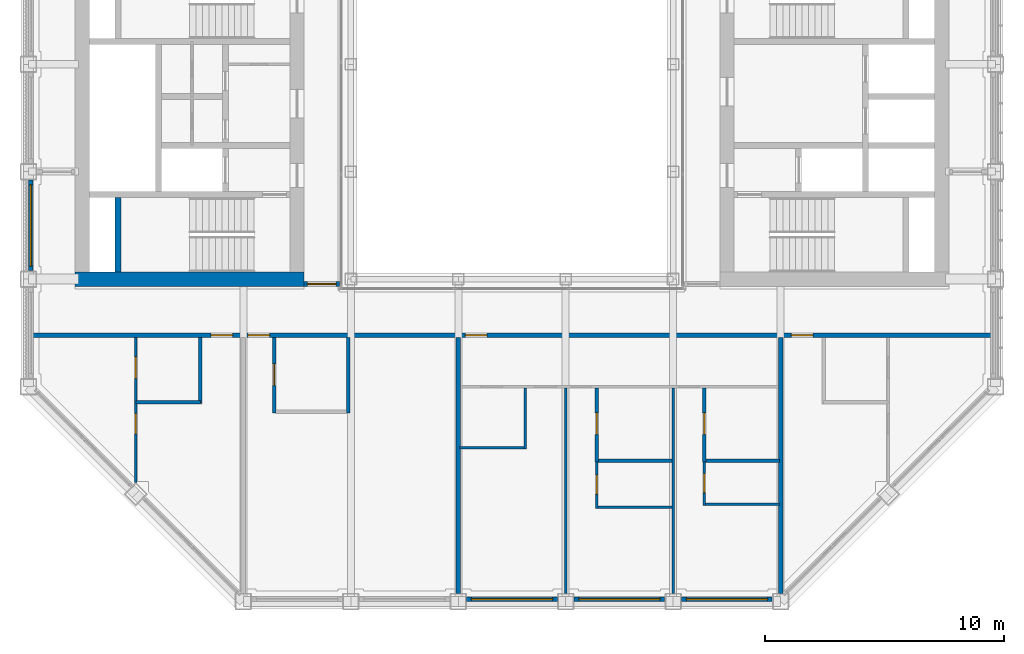
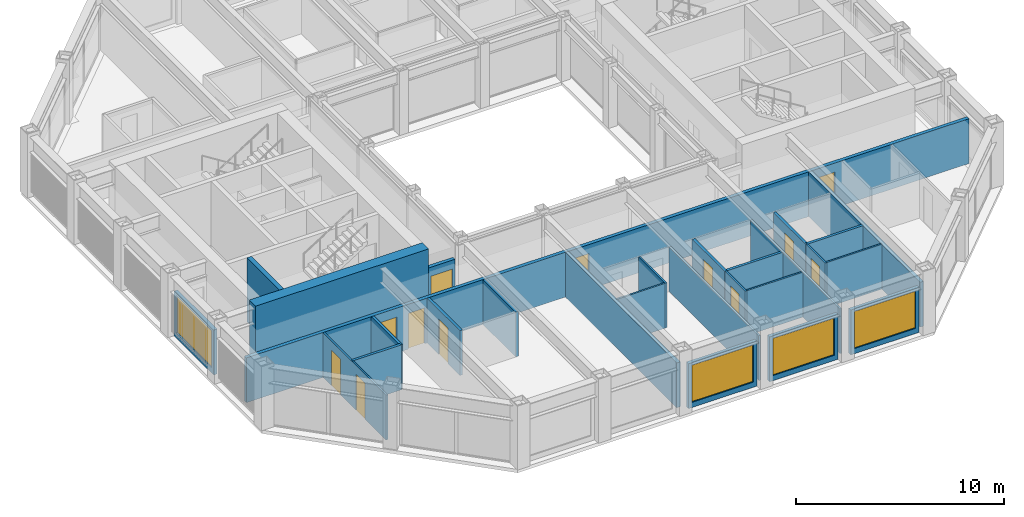
# One storey, part 9 of 17: 27 walls, 12 doors, 4 windows, 16 openings.
"""IFC4 building model written with IfcOpenShell, lengths in metres."""

from ifc_helpers import new_model, si_unit, direction, frame, frame_2d, origin, place, context, subcontext, project, spatial, rectangle, extrude, material, layer, layer_set, type_object, element, fill, save


model = new_model("IFC4")

# Units and contexts
model_context = context("Model", 3, precision=1e-05, world=origin(), true_north=direction((0.0, 1.0)))
body_context = subcontext(model_context, "Body", "Model", "MODEL_VIEW")
ifc_project = project(units=[si_unit("LENGTHUNIT", "METRE"), si_unit("AREAUNIT", "SQUARE_METRE"), si_unit("VOLUMEUNIT", "CUBIC_METRE"), si_unit("PLANEANGLEUNIT", "RADIAN"), si_unit("MASSUNIT", "GRAM", prefix="KILO")], contexts=[model_context])

# Site, building, storey
site_placement = place(None, origin())
site = spatial("IfcSite", under=ifc_project, at=site_placement, CompositionType="ELEMENT")
building_placement = place(site_placement, origin())
building = spatial("IfcBuilding", under=site, at=building_placement, Name="Msasa Ring Tower", CompositionType="ELEMENT")
storey_placement = place(building_placement, frame((0.0, 0.0, 234.550048828125)))
storey = spatial("IfcBuildingStorey", under=building, at=storey_placement, Name="L61", CompositionType="ELEMENT", Elevation=234.550048828125)

# Walls
ifc_material_1 = material(Name="Concrete C60/75", Category="concrete")
ifc_layer_1 = layer(ifc_material_1, 0.60009765625)
ifc_layer_set_1 = layer_set([ifc_layer_1], Name="CW3 CORE WALL 600")
wall_type_1 = type_object("IfcWallType", Name="CW3 CORE WALL 600", PredefinedType="SHEAR", material=ifc_layer_set_1)
wall_1_placement = place(storey_placement, frame((-8.699951171875, -6.75, 0.0), z_axis=(0.0, 0.0, 1.0), x_axis=(-1.0, 0.0, 0.0)))
element("IfcWall", 1, at=wall_1_placement, inside=storey, type_object=wall_type_1, Name="W core wall S L61", PredefinedType="SHEAR", context=body_context, shape_type="SweptSolid", body=[
    extrude(rectangle(XDim=9.60009765625, YDim=0.60009765625, at=frame_2d((4.800048828125, 0.0))), origin(), (0.0, 0.0, 1.0), 3.75),
])
ifc_material_2 = material(Name="Concrete C60/75", Category="concrete")
ifc_layer_2 = layer(ifc_material_2, 0.25)
ifc_layer_set_2 = layer_set([ifc_layer_2], Name="CW4 CORE INNER WALL 250")
wall_type_2 = type_object("IfcWallType", Name="CW4 CORE INNER WALL 250", PredefinedType="SHEAR", material=ifc_layer_set_2)
wall_2_placement = place(storey_placement, frame((-16.5, -6.449951171875, 0.0), z_axis=(0.0, 0.0, 1.0), x_axis=(0.0, 1.0, 0.0)))
element("IfcWall", 2, at=wall_2_placement, inside=storey, type_object=wall_type_2, Name="W core wall RISERA L61", PredefinedType="SHEAR", context=body_context, shape_type="SweptSolid", body=[
    extrude(rectangle(XDim=3.125, YDim=0.25, at=frame_2d((1.5625, 0.0))), origin(), (0.0, 0.0, 1.0), 3.75),
])

# Wall, opening, window
ifc_material_3 = material(Name="Terracotta rainscreen on blockwork", Category="masonry")
ifc_layer_3 = layer(ifc_material_3, 0.199951171875)
ifc_layer_set_3 = layer_set([ifc_layer_3], Name="FW1 TERRACOTTA-LINED INFILL BAY WALL 200")
wall_type_3 = type_object("IfcWallType", Name="FW1 TERRACOTTA-LINED INFILL BAY WALL 200", PredefinedType="SOLIDWALL", material=ifc_layer_set_3)
wall_3_placement = place(storey_placement, frame((-1.89501953125, -20.14990234375, 0.0), z_axis=(0.0, 0.0, 1.0), x_axis=(1.0, 0.0, 0.0)))
wall_3 = element("IfcWall", 3, at=wall_3_placement, inside=storey, type_object=wall_type_3, Name="Infill bay wall S L61 02", PredefinedType="SOLIDWALL", context=body_context, shape_type="SweptSolid", body=[
    extrude(rectangle(XDim=3.7900390625, YDim=0.199951171875, at=frame_2d((1.89501953125, 0.0))), origin(), (0.0, 0.0, 1.0), 2.62890625),
])
opening_1_placement = place(wall_3_placement, frame((0.195068359375, 0.0, 0.300048828125)))
opening_1 = element("IfcOpeningElement", 4, at=opening_1_placement, cuts=wall_3, Name="Opening WN3", PredefinedType="OPENING", context=body_context, shape_type="SweptSolid", body=[
    extrude(rectangle(XDim=3.39990234375, YDim=2.178955078125, at=frame_2d((1.699951171875, 1.08935546875))), frame((0.0, 0.10986328125, 0.0), z_axis=(0.0, -1.0, 0.0), x_axis=(1.0, 0.0, 0.0)), (0.0, 0.0, 1.0), 0.219970703125),
])
ifc_material_4 = material(Name="Aluminium frame with clear glass", Category="aluminium")
window_type = type_object("IfcWindowType", Name="WN3 SUITE WINDOW 3400x2179", PartitioningType="SINGLE_PANEL", PredefinedType="WINDOW", material=ifc_material_4)
window_1_placement = place(opening_1_placement, origin())
window_1 = element("IfcWindow", 5, at=window_1_placement, inside=storey, type_object=window_type, Name="Window S L61 02", OverallHeight=2.178955078125, OverallWidth=3.39990234375, PartitioningType="SINGLE_PANEL", PredefinedType="WINDOW", context=body_context, shape_type="SweptSolid", body=[
    extrude(rectangle(XDim=3.39990234375, YDim=2.178955078125, at=frame_2d((1.699951171875, 1.08935546875))), frame((0.0, 0.030029296875, 0.0), z_axis=(0.0, -1.0, 0.0), x_axis=(1.0, 0.0, 0.0)), (0.0, 0.0, 1.0), 0.06005859375),
])
fill(opening_1, window_1)

wall_4_placement = place(storey_placement, frame((2.60498046875, -20.14990234375, 0.0), z_axis=(0.0, 0.0, 1.0), x_axis=(1.0, 0.0, 0.0)))
wall_4 = element("IfcWall", 6, at=wall_4_placement, inside=storey, type_object=wall_type_3, Name="Infill bay wall S L61 03", PredefinedType="SOLIDWALL", context=body_context, shape_type="SweptSolid", body=[
    extrude(rectangle(XDim=3.7900390625, YDim=0.199951171875, at=frame_2d((1.89501953125, 0.0))), origin(), (0.0, 0.0, 1.0), 2.62890625),
])
opening_2_placement = place(wall_4_placement, frame((0.195068359375, 0.0, 0.300048828125)))
opening_2 = element("IfcOpeningElement", 7, at=opening_2_placement, cuts=wall_4, Name="Opening WN3", PredefinedType="OPENING", context=body_context, shape_type="SweptSolid", body=[
    extrude(rectangle(XDim=3.39990234375, YDim=2.178955078125, at=frame_2d((1.699951171875, 1.08935546875))), frame((0.0, 0.10986328125, 0.0), z_axis=(0.0, -1.0, 0.0), x_axis=(1.0, 0.0, 0.0)), (0.0, 0.0, 1.0), 0.219970703125),
])
window_2_placement = place(opening_2_placement, origin())
window_2 = element("IfcWindow", 8, at=window_2_placement, inside=storey, type_object=window_type, Name="Window S L61 03", OverallHeight=2.178955078125, OverallWidth=3.39990234375, PartitioningType="SINGLE_PANEL", PredefinedType="WINDOW", context=body_context, shape_type="SweptSolid", body=[
    extrude(rectangle(XDim=3.39990234375, YDim=2.178955078125, at=frame_2d((1.699951171875, 1.08935546875))), frame((0.0, 0.030029296875, 0.0), z_axis=(0.0, -1.0, 0.0), x_axis=(1.0, 0.0, 0.0)), (0.0, 0.0, 1.0), 0.06005859375),
])
fill(opening_2, window_2)

wall_5_placement = place(storey_placement, frame((7.10498046875, -20.14990234375, 0.0), z_axis=(0.0, 0.0, 1.0), x_axis=(1.0, 0.0, 0.0)))
wall_5 = element("IfcWall", 9, at=wall_5_placement, inside=storey, type_object=wall_type_3, Name="Infill bay wall S L61 04", PredefinedType="SOLIDWALL", context=body_context, shape_type="SweptSolid", body=[
    extrude(rectangle(XDim=3.7900390625, YDim=0.199951171875, at=frame_2d((1.89501953125, 0.0))), origin(), (0.0, 0.0, 1.0), 2.62890625),
])
opening_3_placement = place(wall_5_placement, frame((0.195068359375, 0.0, 0.300048828125)))
opening_3 = element("IfcOpeningElement", 10, at=opening_3_placement, cuts=wall_5, Name="Opening WN3", PredefinedType="OPENING", context=body_context, shape_type="SweptSolid", body=[
    extrude(rectangle(XDim=3.39990234375, YDim=2.178955078125, at=frame_2d((1.699951171875, 1.08935546875))), frame((0.0, 0.10986328125, 0.0), z_axis=(0.0, -1.0, 0.0), x_axis=(1.0, 0.0, 0.0)), (0.0, 0.0, 1.0), 0.219970703125),
])
window_3_placement = place(opening_3_placement, origin())
window_3 = element("IfcWindow", 11, at=window_3_placement, inside=storey, type_object=window_type, Name="Window S L61 04", OverallHeight=2.178955078125, OverallWidth=3.39990234375, PartitioningType="SINGLE_PANEL", PredefinedType="WINDOW", context=body_context, shape_type="SweptSolid", body=[
    extrude(rectangle(XDim=3.39990234375, YDim=2.178955078125, at=frame_2d((1.699951171875, 1.08935546875))), frame((0.0, 0.030029296875, 0.0), z_axis=(0.0, -1.0, 0.0), x_axis=(1.0, 0.0, 0.0)), (0.0, 0.0, 1.0), 0.06005859375),
])
fill(opening_3, window_3)

wall_6_placement = place(storey_placement, frame((-20.14990234375, -6.39501953125, 0.0), z_axis=(0.0, 0.0, 1.0), x_axis=(0.0, 1.0, 0.0)))
wall_6 = element("IfcWall", 12, at=wall_6_placement, inside=storey, type_object=wall_type_3, Name="Infill bay wall W L61 22", PredefinedType="SOLIDWALL", context=body_context, shape_type="SweptSolid", body=[
    extrude(rectangle(XDim=3.7900390625, YDim=0.199951171875, at=frame_2d((1.89501953125, 0.0))), origin(), (0.0, 0.0, 1.0), 2.62890625),
])
opening_4_placement = place(wall_6_placement, frame((0.195068359375, 0.0, 0.300048828125)))
opening_4 = element("IfcOpeningElement", 13, at=opening_4_placement, cuts=wall_6, Name="Opening WN3", PredefinedType="OPENING", context=body_context, shape_type="SweptSolid", body=[
    extrude(rectangle(XDim=3.39990234375, YDim=2.178955078125, at=frame_2d((1.699951171875, 1.08935546875))), frame((0.0, 0.10986328125, 0.0), z_axis=(0.0, -1.0, 0.0), x_axis=(1.0, 0.0, 0.0)), (0.0, 0.0, 1.0), 0.219970703125),
])
window_4_placement = place(opening_4_placement, origin())
window_4 = element("IfcWindow", 14, at=window_4_placement, inside=storey, type_object=window_type, Name="Window W L61 22", OverallHeight=2.178955078125, OverallWidth=3.39990234375, PartitioningType="SINGLE_PANEL", PredefinedType="WINDOW", context=body_context, shape_type="SweptSolid", body=[
    extrude(rectangle(XDim=3.39990234375, YDim=2.178955078125, at=frame_2d((1.699951171875, 1.08935546875))), frame((0.0, 0.030029296875, 0.0), z_axis=(0.0, -1.0, 0.0), x_axis=(1.0, 0.0, 0.0)), (0.0, 0.0, 1.0), 0.06005859375),
])
fill(opening_4, window_4)

# Wall, opening, door
ifc_material_5 = material(Name="Concrete blockwork", Category="masonry")
ifc_layer_4 = layer(ifc_material_5, 0.199951171875)
ifc_layer_set_4 = layer_set([ifc_layer_4], Name="PT1 CORRIDOR WALL 200")
wall_type_4 = type_object("IfcWallType", Name="PT1 CORRIDOR WALL 200", PredefinedType="PARTITIONING", material=ifc_layer_set_4)
wall_7_placement = place(storey_placement, frame((-8.699951171875, -6.949951171875, 0.0), z_axis=(0.0, 0.0, 1.0), x_axis=(1.0, 0.0, 0.0)))
wall_7 = element("IfcWall", 15, at=wall_7_placement, inside=storey, type_object=wall_type_4, Name="Corridor wall L61-SDWS", PredefinedType="PARTITIONING", context=body_context, shape_type="SweptSolid", body=[
    extrude(rectangle(XDim=1.469970703125, YDim=0.199951171875, at=frame_2d((0.73486328125, 0.0))), origin(), (0.0, 0.0, 1.0), 2.62890625),
])
opening_5_placement = place(wall_7_placement, frame((0.135009765625, 0.0, 0.0)))
opening_5 = element("IfcOpeningElement", 16, at=opening_5_placement, cuts=wall_7, Name="Opening SD-035", PredefinedType="OPENING", context=body_context, shape_type="SweptSolid", body=[
    extrude(rectangle(XDim=1.199951171875, YDim=2.10009765625, at=frame_2d((0.60009765625, 1.050048828125))), frame((0.0, 0.10986328125, 0.0), z_axis=(0.0, -1.0, 0.0), x_axis=(1.0, 0.0, 0.0)), (0.0, 0.0, 1.0), 0.219970703125),
])
ifc_material_6 = material(Name="Timber door leaf in a steel frame", Category="steel")
door_type_1 = type_object("IfcDoorType", Name="D25 CORRIDOR PAIR OF SMOKE DOORS 1200x2100", OperationType="DOUBLE_DOOR_DOUBLE_SWING", PredefinedType="DOOR", material=ifc_material_6)
door_1_placement = place(opening_5_placement, origin())
door_1 = element("IfcDoor", 17, at=door_1_placement, inside=storey, type_object=door_type_1, Name="Door L61-SDWS", OperationType="DOUBLE_DOOR_DOUBLE_SWING", OverallHeight=2.10009765625, OverallWidth=1.199951171875, PredefinedType="DOOR", context=body_context, shape_type="SweptSolid", body=[
    extrude(rectangle(XDim=1.199951171875, YDim=2.10009765625, at=frame_2d((0.60009765625, 1.050048828125))), frame((0.0, 0.02490234375, 0.0), z_axis=(0.0, -1.0, 0.0), x_axis=(1.0, 0.0, 0.0)), (0.0, 0.0, 1.0), 0.050048828125),
])
fill(opening_5, door_1)

# Wall, openings, doors
wall_8_placement = place(storey_placement, frame((-20.050048828125, -9.10009765625, 0.0), z_axis=(0.0, 0.0, 1.0), x_axis=(1.0, 0.0, 0.0)))
wall_8 = element("IfcWall", 18, at=wall_8_placement, inside=storey, type_object=wall_type_4, Name="Corridor wall L61-CORRS0", PredefinedType="PARTITIONING", context=body_context, shape_type="SweptSolid", body=[
    extrude(rectangle(XDim=40.10009765625, YDim=0.199951171875, at=frame_2d((20.050048828125, 0.0))), origin(), (0.0, 0.0, 1.0), 2.62890625),
])
opening_6_placement = place(wall_8_placement, frame((9.0, 0.0, 0.0)))
opening_6 = element("IfcOpeningElement", 19, at=opening_6_placement, cuts=wall_8, Name="Opening SD-038", PredefinedType="OPENING", context=body_context, shape_type="SweptSolid", body=[
    extrude(rectangle(XDim=0.89990234375, YDim=2.10009765625, at=frame_2d((0.449951171875, 1.050048828125))), frame((0.0, 0.10986328125, 0.0), z_axis=(0.0, -1.0, 0.0), x_axis=(1.0, 0.0, 0.0)), (0.0, 0.0, 1.0), 0.219970703125),
])
opening_7_placement = place(wall_8_placement, frame((18.10009765625, 0.0, 0.0)))
opening_7 = element("IfcOpeningElement", 20, at=opening_7_placement, cuts=wall_8, Name="Opening SD-039", PredefinedType="OPENING", context=body_context, shape_type="SweptSolid", body=[
    extrude(rectangle(XDim=0.89990234375, YDim=2.10009765625, at=frame_2d((0.449951171875, 1.050048828125))), frame((0.0, 0.10986328125, 0.0), z_axis=(0.0, -1.0, 0.0), x_axis=(1.0, 0.0, 0.0)), (0.0, 0.0, 1.0), 0.219970703125),
])
opening_8_placement = place(wall_8_placement, frame((31.75, 0.0, 0.0)))
opening_8 = element("IfcOpeningElement", 21, at=opening_8_placement, cuts=wall_8, Name="Opening SD-040", PredefinedType="OPENING", context=body_context, shape_type="SweptSolid", body=[
    extrude(rectangle(XDim=0.89990234375, YDim=2.10009765625, at=frame_2d((0.449951171875, 1.050048828125))), frame((0.0, 0.10986328125, 0.0), z_axis=(0.0, -1.0, 0.0), x_axis=(1.0, 0.0, 0.0)), (0.0, 0.0, 1.0), 0.219970703125),
])
opening_9_placement = place(wall_8_placement, frame((7.449951171875, 0.0, 0.0)))
opening_9 = element("IfcOpeningElement", 22, at=opening_9_placement, cuts=wall_8, Name="Opening SD-037", PredefinedType="OPENING", context=body_context, shape_type="SweptSolid", body=[
    extrude(rectangle(XDim=0.89990234375, YDim=2.10009765625, at=frame_2d((0.449951171875, 1.050048828125))), frame((0.0, 0.10986328125, 0.0), z_axis=(0.0, -1.0, 0.0), x_axis=(1.0, 0.0, 0.0)), (0.0, 0.0, 1.0), 0.219970703125),
])
ifc_material_7 = material(Name="Timber door leaf in a steel frame", Category="steel")
door_type_2 = type_object("IfcDoorType", Name="D1 SINGLE DOOR TO CORRIDOR 900x2100", OperationType="SINGLE_SWING_LEFT", PredefinedType="DOOR", material=ifc_material_7)
door_2_placement = place(opening_6_placement, origin())
door_2 = element("IfcDoor", 23, at=door_2_placement, inside=storey, type_object=door_type_2, Name="Door L61-JS00", OperationType="SINGLE_SWING_LEFT", OverallHeight=2.10009765625, OverallWidth=0.89990234375, PredefinedType="DOOR", context=body_context, shape_type="SweptSolid", body=[
    extrude(rectangle(XDim=0.89990234375, YDim=2.10009765625, at=frame_2d((0.449951171875, 1.050048828125))), frame((0.0, 0.02490234375, 0.0), z_axis=(0.0, -1.0, 0.0), x_axis=(1.0, 0.0, 0.0)), (0.0, 0.0, 1.0), 0.050048828125),
])
fill(opening_6, door_2)
ifc_material_8 = material(Name="Timber door leaf in a steel frame", Category="steel")
door_type_3 = type_object("IfcDoorType", Name="D2 ENTRANCE DOOR 900x2100", OperationType="SINGLE_SWING_LEFT", PredefinedType="DOOR", material=ifc_material_8)
door_3_placement = place(opening_7_placement, origin())
door_3 = element("IfcDoor", 24, at=door_3_placement, inside=storey, type_object=door_type_3, Name="Door L61-JS01", OperationType="SINGLE_SWING_LEFT", OverallHeight=2.10009765625, OverallWidth=0.89990234375, PredefinedType="DOOR", context=body_context, shape_type="SweptSolid", body=[
    extrude(rectangle(XDim=0.89990234375, YDim=2.10009765625, at=frame_2d((0.449951171875, 1.050048828125))), frame((0.0, 0.02490234375, 0.0), z_axis=(0.0, -1.0, 0.0), x_axis=(1.0, 0.0, 0.0)), (0.0, 0.0, 1.0), 0.050048828125),
])
fill(opening_7, door_3)
door_4_placement = place(opening_8_placement, origin())
door_4 = element("IfcDoor", 25, at=door_4_placement, inside=storey, type_object=door_type_3, Name="Door L61-CSSE", OperationType="SINGLE_SWING_RIGHT", OverallHeight=2.10009765625, OverallWidth=0.89990234375, PredefinedType="DOOR", context=body_context, shape_type="SweptSolid", body=[
    extrude(rectangle(XDim=0.89990234375, YDim=2.10009765625, at=frame_2d((0.449951171875, 1.050048828125))), frame((0.0, 0.02490234375, 0.0), z_axis=(0.0, -1.0, 0.0), x_axis=(1.0, 0.0, 0.0)), (0.0, 0.0, 1.0), 0.050048828125),
])
fill(opening_8, door_4)
door_5_placement = place(opening_9_placement, origin())
door_5 = element("IfcDoor", 26, at=door_5_placement, inside=storey, type_object=door_type_3, Name="Door L61-CSSW", OperationType="SINGLE_SWING_LEFT", OverallHeight=2.10009765625, OverallWidth=0.89990234375, PredefinedType="DOOR", context=body_context, shape_type="SweptSolid", body=[
    extrude(rectangle(XDim=0.89990234375, YDim=2.10009765625, at=frame_2d((0.449951171875, 1.050048828125))), frame((0.0, 0.02490234375, 0.0), z_axis=(0.0, -1.0, 0.0), x_axis=(1.0, 0.0, 0.0)), (0.0, 0.0, 1.0), 0.050048828125),
])
fill(opening_9, door_5)

# Walls
ifc_material_9 = material(Name="Gypsum board on steel studs", Category="steel")
ifc_layer_5 = layer(ifc_material_9, 0.10009765625)
ifc_layer_set_5 = layer_set([ifc_layer_5], Name="PT2 STUD PARTITION 100")
wall_type_5 = type_object("IfcWallType", Name="PT2 STUD PARTITION 100", PredefinedType="PARTITIONING", material=ifc_layer_set_5)
wall_9_placement = place(storey_placement, frame((0.550048828125, -13.85009765625, 0.0), z_axis=(0.0, 0.0, 1.0), x_axis=(0.0, 1.0, 0.0)))
element("IfcWall", 27, at=wall_9_placement, inside=storey, type_object=wall_type_5, Name="Partition L61-JS01KX", PredefinedType="PARTITIONING", context=body_context, shape_type="SweptSolid", body=[
    extrude(rectangle(XDim=2.550048828125, YDim=0.10009765625, at=frame_2d((1.27490234375, 0.0))), origin(), (0.0, 0.0, 1.0), 2.62890625),
])
wall_10_placement = place(storey_placement, frame((-2.18994140625, -13.800048828125, 0.0), z_axis=(0.0, 0.0, 1.0), x_axis=(1.0, 0.0, 0.0)))
element("IfcWall", 28, at=wall_10_placement, inside=storey, type_object=wall_type_5, Name="Partition L61-JS01KY", PredefinedType="PARTITIONING", context=body_context, shape_type="SweptSolid", body=[
    extrude(rectangle(XDim=2.739990234375, YDim=0.10009765625, at=frame_2d((1.3701171875, 0.0))), origin(), (0.0, 0.0, 1.0), 2.62890625),
])
wall_11_placement = place(storey_placement, frame((2.25, -19.89990234375, 0.0), z_axis=(0.0, 0.0, 1.0), x_axis=(0.0, 1.0, 0.0)))
element("IfcWall", 29, at=wall_11_placement, inside=storey, type_object=wall_type_5, Name="Partition L61-JS01P1", PredefinedType="PARTITIONING", context=body_context, shape_type="SweptSolid", body=[
    extrude(rectangle(XDim=8.599853515625, YDim=0.10009765625, at=frame_2d((4.2998046875, 0.0))), origin(), (0.0, 0.0, 1.0), 2.62890625),
])

# Wall, opening, door
wall_12_placement = place(storey_placement, frame((3.550048828125, -16.35009765625, 0.0), z_axis=(0.0, 0.0, 1.0), x_axis=(0.0, 1.0, 0.0)))
wall_12 = element("IfcWall", 30, at=wall_12_placement, inside=storey, type_object=wall_type_5, Name="Partition L61-JS01WX1", PredefinedType="PARTITIONING", context=body_context, shape_type="SweptSolid", body=[
    extrude(rectangle(XDim=1.9501953125, YDim=0.10009765625, at=frame_2d((0.97509765625, 0.0))), origin(), (0.0, 0.0, 1.0), 2.62890625),
])
opening_10_placement = place(wall_12_placement, frame((0.60009765625, 0.0, 0.0)))
opening_10 = element("IfcOpeningElement", 31, at=opening_10_placement, cuts=wall_12, Name="Opening SD-053", PredefinedType="OPENING", context=body_context, shape_type="SweptSolid", body=[
    extrude(rectangle(XDim=0.800048828125, YDim=2.10009765625, at=frame_2d((0.39990234375, 1.050048828125))), frame((0.0, 0.06005859375, 0.0), z_axis=(0.0, -1.0, 0.0), x_axis=(1.0, 0.0, 0.0)), (0.0, 0.0, 1.0), 0.1201171875),
])
ifc_material_10 = material(Name="Timber door leaf in a steel frame", Category="steel")
door_type_4 = type_object("IfcDoorType", Name="D60 DRESSING ROOM DOOR 800x2100", OperationType="SINGLE_SWING_LEFT", PredefinedType="DOOR", material=ifc_material_10)
door_6_placement = place(opening_10_placement, origin())
door_6 = element("IfcDoor", 32, at=door_6_placement, inside=storey, type_object=door_type_4, Name="Door L61-JS01W1", OperationType="SINGLE_SWING_LEFT", OverallHeight=2.10009765625, OverallWidth=0.800048828125, PredefinedType="DOOR", context=body_context, shape_type="SweptSolid", body=[
    extrude(rectangle(XDim=0.800048828125, YDim=2.10009765625, at=frame_2d((0.39990234375, 1.050048828125))), frame((0.0, 0.02490234375, 0.0), z_axis=(0.0, -1.0, 0.0), x_axis=(1.0, 0.0, 0.0)), (0.0, 0.0, 1.0), 0.050048828125),
])
fill(opening_10, door_6)

# Walls
wall_13_placement = place(storey_placement, frame((3.550048828125, -16.300048828125, 0.0), z_axis=(0.0, 0.0, 1.0), x_axis=(1.0, 0.0, 0.0)))
element("IfcWall", 33, at=wall_13_placement, inside=storey, type_object=wall_type_5, Name="Partition L61-JS01WY1", PredefinedType="PARTITIONING", context=body_context, shape_type="SweptSolid", body=[
    extrude(rectangle(XDim=3.14990234375, YDim=0.10009765625, at=frame_2d((1.574951171875, 0.0))), origin(), (0.0, 0.0, 1.0), 2.62890625),
])
wall_14_placement = place(storey_placement, frame((6.75, -19.89990234375, 0.0), z_axis=(0.0, 0.0, 1.0), x_axis=(0.0, 1.0, 0.0)))
element("IfcWall", 34, at=wall_14_placement, inside=storey, type_object=wall_type_5, Name="Partition L61-JS01P2", PredefinedType="PARTITIONING", context=body_context, shape_type="SweptSolid", body=[
    extrude(rectangle(XDim=8.599853515625, YDim=0.10009765625, at=frame_2d((4.2998046875, 0.0))), origin(), (0.0, 0.0, 1.0), 2.62890625),
])

# Wall, opening, door
wall_15_placement = place(storey_placement, frame((8.050048828125, -16.2236328125, 0.0), z_axis=(0.0, 0.0, 1.0), x_axis=(0.0, 1.0, 0.0)))
wall_15 = element("IfcWall", 35, at=wall_15_placement, inside=storey, type_object=wall_type_5, Name="Partition L61-JS01WX2", PredefinedType="PARTITIONING", context=body_context, shape_type="SweptSolid", body=[
    extrude(rectangle(XDim=1.82373046875, YDim=0.10009765625, at=frame_2d((0.911865234375, 0.0))), origin(), (0.0, 0.0, 1.0), 2.62890625),
])
opening_11_placement = place(wall_15_placement, frame((0.536865234375, 0.0, 0.0)))
opening_11 = element("IfcOpeningElement", 36, at=opening_11_placement, cuts=wall_15, Name="Opening SD-052", PredefinedType="OPENING", context=body_context, shape_type="SweptSolid", body=[
    extrude(rectangle(XDim=0.800048828125, YDim=2.10009765625, at=frame_2d((0.39990234375, 1.050048828125))), frame((0.0, 0.06005859375, 0.0), z_axis=(0.0, -1.0, 0.0), x_axis=(1.0, 0.0, 0.0)), (0.0, 0.0, 1.0), 0.1201171875),
])
door_7_placement = place(opening_11_placement, origin())
door_7 = element("IfcDoor", 37, at=door_7_placement, inside=storey, type_object=door_type_4, Name="Door L61-JS01W2", OperationType="SINGLE_SWING_LEFT", OverallHeight=2.10009765625, OverallWidth=0.800048828125, PredefinedType="DOOR", context=body_context, shape_type="SweptSolid", body=[
    extrude(rectangle(XDim=0.800048828125, YDim=2.10009765625, at=frame_2d((0.39990234375, 1.050048828125))), frame((0.0, 0.02490234375, 0.0), z_axis=(0.0, -1.0, 0.0), x_axis=(1.0, 0.0, 0.0)), (0.0, 0.0, 1.0), 0.050048828125),
])
fill(opening_11, door_7)

# Wall
wall_16_placement = place(storey_placement, frame((8.050048828125, -16.173583984375, 0.0), z_axis=(0.0, 0.0, 1.0), x_axis=(1.0, 0.0, 0.0)))
element("IfcWall", 38, at=wall_16_placement, inside=storey, type_object=wall_type_5, Name="Partition L61-JS01WY2", PredefinedType="PARTITIONING", context=body_context, shape_type="SweptSolid", body=[
    extrude(rectangle(XDim=3.139892578125, YDim=0.10009765625, at=frame_2d((1.56982421875, 0.0))), origin(), (0.0, 0.0, 1.0), 2.62890625),
])

# Wall, openings, doors
wall_17_placement = place(storey_placement, frame((-15.75, -15.2548828125, 0.0), z_axis=(0.0, 0.0, 1.0), x_axis=(0.0, 1.0, 0.0)))
wall_17 = element("IfcWall", 39, at=wall_17_placement, inside=storey, type_object=wall_type_5, Name="Partition L61-CSSWP1", PredefinedType="PARTITIONING", context=body_context, shape_type="SweptSolid", body=[
    extrude(rectangle(XDim=6.054931640625, YDim=0.10009765625, at=frame_2d((3.02734375, 0.0))), origin(), (0.0, 0.0, 1.0), 2.62890625),
])
opening_12_placement = place(wall_17_placement, frame((2.030029296875, 0.0, 0.0)))
opening_12 = element("IfcOpeningElement", 40, at=opening_12_placement, cuts=wall_17, Name="Opening SD-048", PredefinedType="OPENING", context=body_context, shape_type="SweptSolid", body=[
    extrude(rectangle(XDim=0.85009765625, YDim=2.10009765625, at=frame_2d((0.425048828125, 1.050048828125))), frame((0.0, 0.06005859375, 0.0), z_axis=(0.0, -1.0, 0.0), x_axis=(1.0, 0.0, 0.0)), (0.0, 0.0, 1.0), 0.1201171875),
])
opening_13_placement = place(wall_17_placement, frame((4.35498046875, 0.0, 0.0)))
opening_13 = element("IfcOpeningElement", 41, at=opening_13_placement, cuts=wall_17, Name="Opening SD-041", PredefinedType="OPENING", context=body_context, shape_type="SweptSolid", body=[
    extrude(rectangle(XDim=0.89990234375, YDim=2.10009765625, at=frame_2d((0.449951171875, 1.050048828125))), frame((0.0, 0.06005859375, 0.0), z_axis=(0.0, -1.0, 0.0), x_axis=(1.0, 0.0, 0.0)), (0.0, 0.0, 1.0), 0.1201171875),
])
ifc_material_11 = material(Name="Timber door leaf in a steel frame", Category="steel")
door_type_5 = type_object("IfcDoorType", Name="D14 BEDROOM DOOR 850x2100", OperationType="SINGLE_SWING_LEFT", PredefinedType="DOOR", material=ifc_material_11)
door_8_placement = place(opening_12_placement, origin())
door_8 = element("IfcDoor", 42, at=door_8_placement, inside=storey, type_object=door_type_5, Name="Door L61-CSSWR1", OperationType="SINGLE_SWING_LEFT", OverallHeight=2.10009765625, OverallWidth=0.85009765625, PredefinedType="DOOR", context=body_context, shape_type="SweptSolid", body=[
    extrude(rectangle(XDim=0.85009765625, YDim=2.10009765625, at=frame_2d((0.425048828125, 1.050048828125))), frame((0.0, 0.02490234375, 0.0), z_axis=(0.0, -1.0, 0.0), x_axis=(1.0, 0.0, 0.0)), (0.0, 0.0, 1.0), 0.050048828125),
])
fill(opening_12, door_8)
ifc_material_12 = material(Name="Timber door leaf in a steel frame", Category="steel")
door_type_6 = type_object("IfcDoorType", Name="D3 BATHROOM DOOR 900x2100", OperationType="SINGLE_SWING_LEFT", PredefinedType="DOOR", material=ifc_material_12)
door_9_placement = place(opening_13_placement, origin())
door_9 = element("IfcDoor", 43, at=door_9_placement, inside=storey, type_object=door_type_6, Name="Door L61-CSSWB1", OperationType="SINGLE_SWING_RIGHT", OverallHeight=2.10009765625, OverallWidth=0.89990234375, PredefinedType="DOOR", context=body_context, shape_type="SweptSolid", body=[
    extrude(rectangle(XDim=0.89990234375, YDim=2.10009765625, at=frame_2d((0.449951171875, 1.050048828125))), frame((0.0, 0.02490234375, 0.0), z_axis=(0.0, -1.0, 0.0), x_axis=(1.0, 0.0, 0.0)), (0.0, 0.0, 1.0), 0.050048828125),
])
fill(opening_13, door_9)

# Walls
ifc_material_13 = material(Name="Dense concrete blockwork, plastered both faces", Category="masonry")
ifc_layer_6 = layer(ifc_material_13, 0.25)
ifc_layer_set_6 = layer_set([ifc_layer_6], Name="PT3 APARTMENT SEPARATING WALL 250")
wall_type_6 = type_object("IfcWallType", Name="PT3 APARTMENT SEPARATING WALL 250", PredefinedType="PARTITIONING", material=ifc_layer_set_6)
for number, where, z_axis, x_axis, name in (
    (44, (-2.25, -19.89990234375, 0.0), (0.0, 0.0, 1.0), (0.0, 1.0, 0.0), "Party wall L61-PWS-2.25"),
    (45, (11.25, -19.89990234375, 0.0), (0.0, 0.0, 1.0), (0.0, 1.0, 0.0), "Party wall L61-PWS+11.25"),
):
    element("IfcWall", number, at=place(storey_placement, frame(where, z_axis=z_axis, x_axis=x_axis)), inside=storey, type_object=wall_type_6, Name=name, PredefinedType="PARTITIONING", context=body_context, shape_type="SweptSolid", body=[
        extrude(rectangle(XDim=10.699951171875, YDim=0.199951171875, at=frame_2d((5.35009765625, 0.0))), origin(), (0.0, 0.0, 1.0), 2.62890625),
    ])

# Wall, opening, door
ifc_material_14 = material(Name="Moisture-resistant board on steel studs with a concealed cistern and pipe void, tiled", Category="steel")
ifc_layer_7 = layer(ifc_material_14, 0.14990234375)
ifc_layer_set_7 = layer_set([ifc_layer_7], Name="PT4 BATHROOM WET WALL 150")
wall_type_7 = type_object("IfcWallType", Name="PT4 BATHROOM WET WALL 150", PredefinedType="PARTITIONING", material=ifc_layer_set_7)
wall_18_placement = place(storey_placement, frame((-9.949951171875, -12.35009765625, 0.0), z_axis=(0.0, 0.0, 1.0), x_axis=(0.0, 1.0, 0.0)))
wall_18 = element("IfcWall", 46, at=wall_18_placement, inside=storey, type_object=wall_type_7, Name="Partition L61-JS00BX", PredefinedType="PARTITIONING", context=body_context, shape_type="SweptSolid", body=[
    extrude(rectangle(XDim=3.150146484375, YDim=0.14990234375, at=frame_2d((1.5751953125, 0.0))), origin(), (0.0, 0.0, 1.0), 2.62890625),
])
opening_14_placement = place(wall_18_placement, frame((1.14990234375, 0.0, 0.0)))
opening_14 = element("IfcOpeningElement", 47, at=opening_14_placement, cuts=wall_18, Name="Opening SD-043", PredefinedType="OPENING", context=body_context, shape_type="SweptSolid", body=[
    extrude(rectangle(XDim=0.89990234375, YDim=2.10009765625, at=frame_2d((0.449951171875, 1.050048828125))), frame((0.0, 0.0849609375, 0.0), z_axis=(0.0, -1.0, 0.0), x_axis=(1.0, 0.0, 0.0)), (0.0, 0.0, 1.0), 0.169921875),
])
door_10_placement = place(opening_14_placement, origin())
door_10 = element("IfcDoor", 48, at=door_10_placement, inside=storey, type_object=door_type_6, Name="Door L61-JS00B", OperationType="SINGLE_SWING_LEFT", OverallHeight=2.10009765625, OverallWidth=0.89990234375, PredefinedType="DOOR", context=body_context, shape_type="SweptSolid", body=[
    extrude(rectangle(XDim=0.89990234375, YDim=2.10009765625, at=frame_2d((0.449951171875, 1.050048828125))), frame((0.0, 0.02490234375, 0.0), z_axis=(0.0, -1.0, 0.0), x_axis=(1.0, 0.0, 0.0)), (0.0, 0.0, 1.0), 0.050048828125),
])
fill(opening_14, door_10)

# Wall
wall_19_placement = place(storey_placement, frame((-6.85009765625, -12.35009765625, 0.0), z_axis=(0.0, 0.0, 1.0), x_axis=(0.0, 1.0, 0.0)))
element("IfcWall", 49, at=wall_19_placement, inside=storey, type_object=wall_type_7, Name="Partition L61-JS00BF", PredefinedType="PARTITIONING", context=body_context, shape_type="SweptSolid", body=[
    extrude(rectangle(XDim=3.150146484375, YDim=0.14990234375, at=frame_2d((1.5751953125, 0.0))), origin(), (0.0, 0.0, 1.0), 2.62890625),
])

# Wall, opening, door
wall_20_placement = place(storey_placement, frame((3.550048828125, -14.39990234375, 0.0), z_axis=(0.0, 0.0, 1.0), x_axis=(0.0, 1.0, 0.0)))
wall_20 = element("IfcWall", 50, at=wall_20_placement, inside=storey, type_object=wall_type_7, Name="Partition L61-JS01BX1", PredefinedType="PARTITIONING", context=body_context, shape_type="SweptSolid", body=[
    extrude(rectangle(XDim=3.099853515625, YDim=0.14990234375, at=frame_2d((1.5498046875, 0.0))), origin(), (0.0, 0.0, 1.0), 2.62890625),
])
opening_15_placement = place(wall_20_placement, frame((1.14990234375, 0.0, 0.0)))
opening_15 = element("IfcOpeningElement", 51, at=opening_15_placement, cuts=wall_20, Name="Opening SD-049", PredefinedType="OPENING", context=body_context, shape_type="SweptSolid", body=[
    extrude(rectangle(XDim=0.89990234375, YDim=2.10009765625, at=frame_2d((0.449951171875, 1.050048828125))), frame((0.0, 0.0849609375, 0.0), z_axis=(0.0, -1.0, 0.0), x_axis=(1.0, 0.0, 0.0)), (0.0, 0.0, 1.0), 0.169921875),
])
door_11_placement = place(opening_15_placement, origin())
door_11 = element("IfcDoor", 52, at=door_11_placement, inside=storey, type_object=door_type_6, Name="Door L61-JS01B1", OperationType="SINGLE_SWING_RIGHT", OverallHeight=2.10009765625, OverallWidth=0.89990234375, PredefinedType="DOOR", context=body_context, shape_type="SweptSolid", body=[
    extrude(rectangle(XDim=0.89990234375, YDim=2.10009765625, at=frame_2d((0.449951171875, 1.050048828125))), frame((0.0, 0.02490234375, 0.0), z_axis=(0.0, -1.0, 0.0), x_axis=(1.0, 0.0, 0.0)), (0.0, 0.0, 1.0), 0.050048828125),
])
fill(opening_15, door_11)

# Wall
wall_21_placement = place(storey_placement, frame((3.550048828125, -14.35009765625, 0.0), z_axis=(0.0, 0.0, 1.0), x_axis=(1.0, 0.0, 0.0)))
element("IfcWall", 53, at=wall_21_placement, inside=storey, type_object=wall_type_7, Name="Partition L61-JS01BY1", PredefinedType="PARTITIONING", context=body_context, shape_type="SweptSolid", body=[
    extrude(rectangle(XDim=3.14990234375, YDim=0.14990234375, at=frame_2d((1.574951171875, 0.0))), origin(), (0.0, 0.0, 1.0), 2.62890625),
])

# Wall, opening, door
wall_22_placement = place(storey_placement, frame((8.050048828125, -14.39990234375, 0.0), z_axis=(0.0, 0.0, 1.0), x_axis=(0.0, 1.0, 0.0)))
wall_22 = element("IfcWall", 54, at=wall_22_placement, inside=storey, type_object=wall_type_7, Name="Partition L61-JS01BX2", PredefinedType="PARTITIONING", context=body_context, shape_type="SweptSolid", body=[
    extrude(rectangle(XDim=3.099853515625, YDim=0.14990234375, at=frame_2d((1.5498046875, 0.0))), origin(), (0.0, 0.0, 1.0), 2.62890625),
])
opening_16_placement = place(wall_22_placement, frame((1.14990234375, 0.0, 0.0)))
opening_16 = element("IfcOpeningElement", 55, at=opening_16_placement, cuts=wall_22, Name="Opening SD-050", PredefinedType="OPENING", context=body_context, shape_type="SweptSolid", body=[
    extrude(rectangle(XDim=0.89990234375, YDim=2.10009765625, at=frame_2d((0.449951171875, 1.050048828125))), frame((0.0, 0.0849609375, 0.0), z_axis=(0.0, -1.0, 0.0), x_axis=(1.0, 0.0, 0.0)), (0.0, 0.0, 1.0), 0.169921875),
])
door_12_placement = place(opening_16_placement, origin())
door_12 = element("IfcDoor", 56, at=door_12_placement, inside=storey, type_object=door_type_6, Name="Door L61-JS01B2", OperationType="SINGLE_SWING_RIGHT", OverallHeight=2.10009765625, OverallWidth=0.89990234375, PredefinedType="DOOR", context=body_context, shape_type="SweptSolid", body=[
    extrude(rectangle(XDim=0.89990234375, YDim=2.10009765625, at=frame_2d((0.449951171875, 1.050048828125))), frame((0.0, 0.02490234375, 0.0), z_axis=(0.0, -1.0, 0.0), x_axis=(1.0, 0.0, 0.0)), (0.0, 0.0, 1.0), 0.050048828125),
])
fill(opening_16, door_12)

# Walls
wall_23_placement = place(storey_placement, frame((8.050048828125, -14.35009765625, 0.0), z_axis=(0.0, 0.0, 1.0), x_axis=(1.0, 0.0, 0.0)))
element("IfcWall", 57, at=wall_23_placement, inside=storey, type_object=wall_type_7, Name="Partition L61-JS01BY2", PredefinedType="PARTITIONING", context=body_context, shape_type="SweptSolid", body=[
    extrude(rectangle(XDim=3.139892578125, YDim=0.14990234375, at=frame_2d((1.56982421875, 0.0))), origin(), (0.0, 0.0, 1.0), 2.62890625),
])
wall_24_placement = place(storey_placement, frame((-13.050048828125, -11.949951171875, 0.0), z_axis=(0.0, 0.0, 1.0), x_axis=(0.0, 1.0, 0.0)))
element("IfcWall", 58, at=wall_24_placement, inside=storey, type_object=wall_type_7, Name="Partition L61-CSSWBX", PredefinedType="PARTITIONING", context=body_context, shape_type="SweptSolid", body=[
    extrude(rectangle(XDim=2.75, YDim=0.14990234375, at=frame_2d((1.375, 0.0))), origin(), (0.0, 0.0, 1.0), 2.62890625),
])
wall_25_placement = place(storey_placement, frame((-15.75, -11.89990234375, 0.0), z_axis=(0.0, 0.0, 1.0), x_axis=(1.0, 0.0, 0.0)))
element("IfcWall", 59, at=wall_25_placement, inside=storey, type_object=wall_type_7, Name="Partition L61-CSSWBY", PredefinedType="PARTITIONING", context=body_context, shape_type="SweptSolid", body=[
    extrude(rectangle(XDim=2.699951171875, YDim=0.14990234375, at=frame_2d((1.35009765625, 0.0))), origin(), (0.0, 0.0, 1.0), 2.62890625),
])

save(model, "model.ifc")
